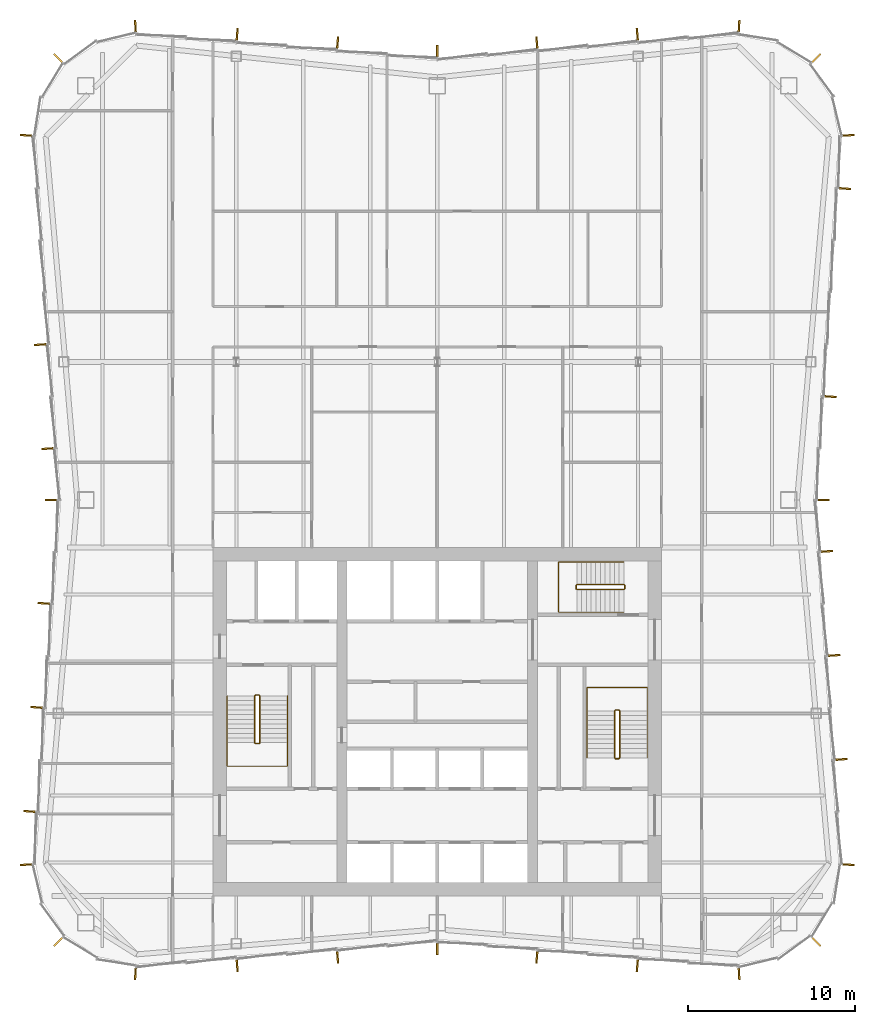
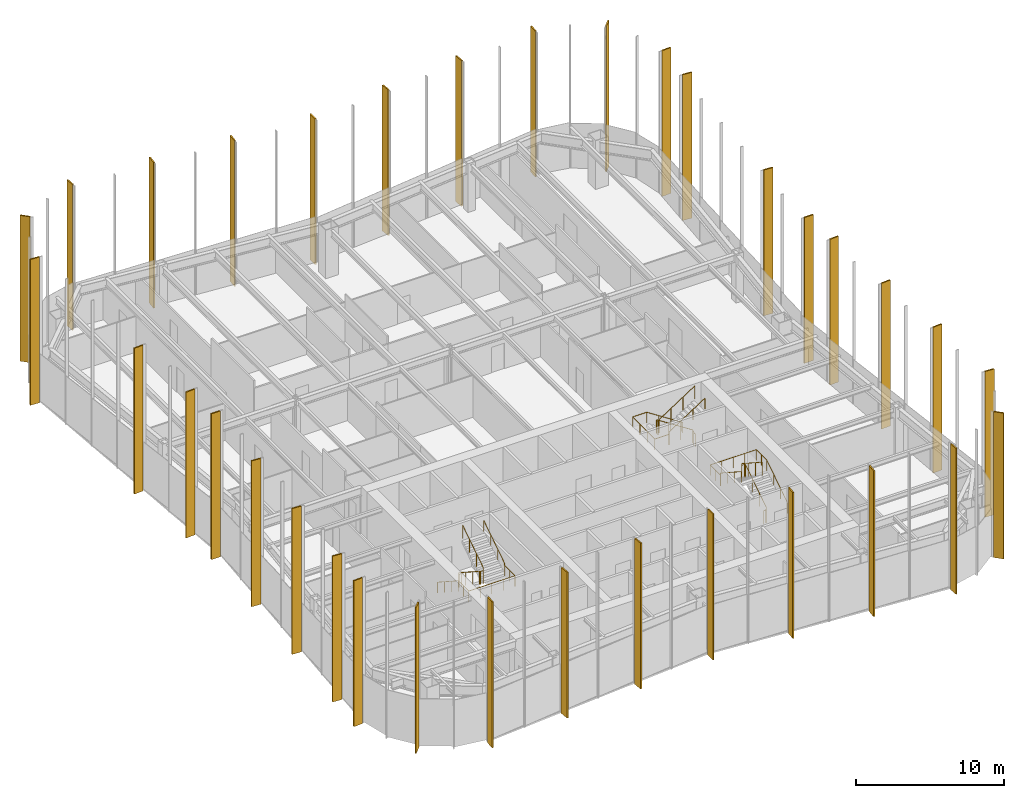
# One storey, part 15 of 15: 34 shading devices, 6 railings.
"""IFC4 building model written with IfcOpenShell, lengths in metres."""

from ifc_helpers import new_model, si_unit, direction, frame, origin, origin_2d, place, context, subcontext, project, spatial, rectangle, circle, extrude, material, layer, layer_set, type_object, element, save


model = new_model("IFC4")

# Units and contexts
model_context = context("Model", 3, precision=1e-05, world=origin(), true_north=direction((0.0, 1.0)))
body_context = subcontext(model_context, "Body", "Model", "MODEL_VIEW")
ifc_project = project(units=[si_unit("LENGTHUNIT", "METRE"), si_unit("AREAUNIT", "SQUARE_METRE"), si_unit("VOLUMEUNIT", "CUBIC_METRE"), si_unit("PLANEANGLEUNIT", "RADIAN"), si_unit("MASSUNIT", "GRAM", prefix="KILO")], contexts=[model_context])

# Site, building, storey
site_placement = place(None, origin())
site = spatial("IfcSite", under=ifc_project, at=site_placement, CompositionType="ELEMENT")
building_placement = place(site_placement, origin())
building = spatial("IfcBuilding", under=site, at=building_placement, Name="Verdant Reach Tower", CompositionType="ELEMENT")
storey_placement = place(building_placement, frame((0.0, 0.0, 250.0)))
storey = spatial("IfcBuildingStorey", under=building, at=storey_placement, Name="L57", CompositionType="ELEMENT", Elevation=250.0)

# Railings
ifc_material_1 = material(Name="Stainless steel", Category="steel")
railing_type_1 = type_object("IfcRailingType", Name="CO-GUARD", PredefinedType="GUARDRAIL", material=ifc_material_1)
railing_1_placement = place(storey_placement, frame((-10.64990234375, 29.60009765625, 0.0)))
element("IfcRailing", 1, at=railing_1_placement, inside=storey, type_object=railing_type_1, Name="L57 ST-1 stair guard 1", PredefinedType="GUARDRAIL", context=body_context, shape_type="SweptSolid", body=[
    extrude(circle(Radius=0.02392578125, at=origin_2d()), frame((0.0, 0.0, 1.076171875), z_axis=(-1.0, 0.0, 0.0), x_axis=(0.0, -1.0, 0.0)), (0.0, 0.0, 1.0), 0.2001953125),
    extrude(circle(Radius=0.02392578125, at=origin_2d()), frame((-0.2001953125, 0.0, 1.076171875), z_axis=(-0.25526617399, -0.256517478764, 0.932222056972), x_axis=(0.708833529934, -0.705375805398, 0.0)), (0.0, 0.0, 1.0), 0.195068359375),
    extrude(circle(Radius=0.02392578125, at=origin_2d()), frame((-0.25, -0.050048828125, 1.2578125), z_axis=(0.0, -0.838705829183, 0.544584733623), x_axis=(1.0, 0.0, 0.0)), (0.0, 0.0, 1.0), 3.338623046875),
    extrude(circle(Radius=0.02392578125, at=origin_2d()), frame((-0.25, -2.85009765625, 3.076171875), z_axis=(0.705375805398, -0.708833529934, 0.0), x_axis=(0.708833529934, 0.705375805398, 0.0)), (0.0, 0.0, 1.0), 0.070556640625),
    extrude(circle(Radius=0.02392578125, at=origin_2d()), frame((-0.2001953125, -2.900146484375, 3.076171875), z_axis=(1.0, 0.0, 0.0), x_axis=(0.0, 1.0, 0.0)), (0.0, 0.0, 1.0), 0.2001953125),
    extrude(circle(Radius=0.02392578125, at=origin_2d()), frame((0.0, -2.900146484375, 3.076171875), z_axis=(0.25526617399, 0.256517478764, 0.932222056972), x_axis=(-0.708833529934, 0.705375805398, 0.0)), (0.0, 0.0, 1.0), 0.195068359375),
    extrude(circle(Radius=0.02392578125, at=origin_2d()), frame((0.0498046875, -2.85009765625, 3.2578125), z_axis=(0.0, 0.838705829183, 0.544584733623), x_axis=(-1.0, 0.0, 0.0)), (0.0, 0.0, 1.0), 3.338623046875),
    extrude(circle(Radius=0.02099609375, at=origin_2d()), origin(), (0.0, 0.0, 1.0), 1.052001953125),
    extrude(circle(Radius=0.02099609375, at=origin_2d()), frame((-0.2001953125, 0.0, 0.0)), (0.0, 0.0, 1.0), 1.052001953125),
    extrude(circle(Radius=0.02099609375, at=origin_2d()), frame((-0.25, -0.050048828125, 0.181884765625)), (0.0, 0.0, 1.0), 1.052001953125),
    extrude(circle(Radius=0.02099609375, at=origin_2d()), frame((-0.25, -0.9833984375, 0.787841796875)), (0.0, 0.0, 1.0), 1.052001953125),
    extrude(circle(Radius=0.02099609375, at=origin_2d()), frame((-0.25, -1.916748046875, 1.39404296875)), (0.0, 0.0, 1.0), 1.052001953125),
    extrude(circle(Radius=0.02099609375, at=origin_2d()), frame((-0.25, -2.85009765625, 2.0)), (0.0, 0.0, 1.0), 1.052001953125),
    extrude(circle(Radius=0.02099609375, at=origin_2d()), frame((-0.2001953125, -2.900146484375, 2.0)), (0.0, 0.0, 1.0), 1.052001953125),
    extrude(circle(Radius=0.02099609375, at=origin_2d()), frame((0.0, -2.900146484375, 2.0)), (0.0, 0.0, 1.0), 1.052001953125),
    extrude(circle(Radius=0.02099609375, at=origin_2d()), frame((0.0498046875, -2.85009765625, 2.181884765625)), (0.0, 0.0, 1.0), 1.052001953125),
    extrude(circle(Radius=0.02099609375, at=origin_2d()), frame((0.0498046875, -1.916748046875, 2.787841796875)), (0.0, 0.0, 1.0), 1.052001953125),
    extrude(circle(Radius=0.02099609375, at=origin_2d()), frame((0.0498046875, -0.9833984375, 3.39404296875)), (0.0, 0.0, 1.0), 1.052001953125),
    extrude(circle(Radius=0.02099609375, at=origin_2d()), frame((0.0498046875, -0.050048828125, 4.0)), (0.0, 0.0, 1.0), 1.052001953125),
])
railing_2_placement = place(storey_placement, frame((10.64990234375, 25.800048828125, 0.0)))
element("IfcRailing", 2, at=railing_2_placement, inside=storey, type_object=railing_type_1, Name="L57 ST-2 stair guard 1", PredefinedType="GUARDRAIL", context=body_context, shape_type="SweptSolid", body=[
    extrude(circle(Radius=0.02392578125, at=origin_2d()), frame((0.0, 0.0, 1.076171875), z_axis=(1.0, 0.0, 0.0), x_axis=(0.0, 1.0, 0.0)), (0.0, 0.0, 1.0), 0.2001953125),
    extrude(circle(Radius=0.02392578125, at=origin_2d()), frame((0.2001953125, 0.0, 1.076171875), z_axis=(0.25526617399, 0.256517478764, 0.932222056972), x_axis=(-0.708833529934, 0.705375805398, 0.0)), (0.0, 0.0, 1.0), 0.195068359375),
    extrude(circle(Radius=0.02392578125, at=origin_2d()), frame((0.25, 0.050048828125, 1.2578125), z_axis=(0.0, 0.83868413941, 0.544618136222), x_axis=(-1.0, 0.0, 0.0)), (0.0, 0.0, 1.0), 3.33837890625),
    extrude(circle(Radius=0.02392578125, at=origin_2d()), frame((0.25, 2.849853515625, 3.076171875), z_axis=(-0.705375805398, 0.708833529934, 0.0), x_axis=(-0.708833529934, -0.705375805398, 0.0)), (0.0, 0.0, 1.0), 0.070556640625),
    extrude(circle(Radius=0.02392578125, at=origin_2d()), frame((0.2001953125, 2.89990234375, 3.076171875), z_axis=(-1.0, 0.0, 0.0), x_axis=(0.0, -1.0, 0.0)), (0.0, 0.0, 1.0), 0.2001953125),
    extrude(circle(Radius=0.02392578125, at=origin_2d()), frame((0.0, 2.89990234375, 3.076171875), z_axis=(-0.25526617399, -0.256517478764, 0.932222056972), x_axis=(0.708833529934, -0.705375805398, 0.0)), (0.0, 0.0, 1.0), 0.195068359375),
    extrude(circle(Radius=0.02392578125, at=origin_2d()), frame((-0.0498046875, 2.849853515625, 3.2578125), z_axis=(0.0, -0.83868413941, 0.544618136222), x_axis=(1.0, 0.0, 0.0)), (0.0, 0.0, 1.0), 3.33837890625),
    extrude(circle(Radius=0.02099609375, at=origin_2d()), origin(), (0.0, 0.0, 1.0), 1.052001953125),
    extrude(circle(Radius=0.02099609375, at=origin_2d()), frame((0.2001953125, 0.0, 0.0)), (0.0, 0.0, 1.0), 1.052001953125),
    extrude(circle(Radius=0.02099609375, at=origin_2d()), frame((0.25, 0.050048828125, 0.181884765625)), (0.0, 0.0, 1.0), 1.052001953125),
    extrude(circle(Radius=0.02099609375, at=origin_2d()), frame((0.25, 0.9833984375, 0.787841796875)), (0.0, 0.0, 1.0), 1.052001953125),
    extrude(circle(Radius=0.02099609375, at=origin_2d()), frame((0.25, 1.91650390625, 1.39404296875)), (0.0, 0.0, 1.0), 1.052001953125),
    extrude(circle(Radius=0.02099609375, at=origin_2d()), frame((0.25, 2.849853515625, 2.0)), (0.0, 0.0, 1.0), 1.052001953125),
    extrude(circle(Radius=0.02099609375, at=origin_2d()), frame((0.2001953125, 2.89990234375, 2.0)), (0.0, 0.0, 1.0), 1.052001953125),
    extrude(circle(Radius=0.02099609375, at=origin_2d()), frame((0.0, 2.89990234375, 2.0)), (0.0, 0.0, 1.0), 1.052001953125),
    extrude(circle(Radius=0.02099609375, at=origin_2d()), frame((-0.0498046875, 2.849853515625, 2.181884765625)), (0.0, 0.0, 1.0), 1.052001953125),
    extrude(circle(Radius=0.02099609375, at=origin_2d()), frame((-0.0498046875, 1.91650390625, 2.787841796875)), (0.0, 0.0, 1.0), 1.052001953125),
    extrude(circle(Radius=0.02099609375, at=origin_2d()), frame((-0.0498046875, 0.9833984375, 3.39404296875)), (0.0, 0.0, 1.0), 1.052001953125),
    extrude(circle(Radius=0.02099609375, at=origin_2d()), frame((-0.0498046875, 0.050048828125, 4.0)), (0.0, 0.0, 1.0), 1.052001953125),
])
railing_3_placement = place(storey_placement, frame((11.199951171875, 35.949951171875, 0.0)))
element("IfcRailing", 3, at=railing_3_placement, inside=storey, type_object=railing_type_1, Name="L57 ST-3 stair guard 1", PredefinedType="GUARDRAIL", context=body_context, shape_type="SweptSolid", body=[
    extrude(circle(Radius=0.02392578125, at=origin_2d()), frame((0.0, 0.0, 1.076171875), z_axis=(0.0, 1.0, 0.0), x_axis=(-1.0, 0.0, 0.0)), (0.0, 0.0, 1.0), 0.199951171875),
    extrude(circle(Radius=0.02392578125, at=origin_2d()), frame((0.0, 0.199951171875, 1.076171875), z_axis=(-0.256435381639, 0.256435381639, 0.931923704005), x_axis=(-0.707106781187, -0.707106781187, 0.0)), (0.0, 0.0, 1.0), 0.195068359375),
    extrude(circle(Radius=0.02392578125, at=origin_2d()), frame((-0.050048828125, 0.25, 1.2578125), z_axis=(-0.83868413941, 0.0, 0.544618136222), x_axis=(0.0, -1.0, 0.0)), (0.0, 0.0, 1.0), 3.33837890625),
    extrude(circle(Radius=0.02392578125, at=origin_2d()), frame((-2.849853515625, 0.25, 3.076171875), z_axis=(-0.707106781187, -0.707106781187, 0.0), x_axis=(0.707106781187, -0.707106781187, 0.0)), (0.0, 0.0, 1.0), 0.07080078125),
    extrude(circle(Radius=0.02392578125, at=origin_2d()), frame((-2.89990234375, 0.199951171875, 3.076171875), z_axis=(0.0, -1.0, 0.0), x_axis=(1.0, 0.0, 0.0)), (0.0, 0.0, 1.0), 0.199951171875),
    extrude(circle(Radius=0.02392578125, at=origin_2d()), frame((-2.89990234375, 0.0, 3.076171875), z_axis=(0.256435381639, -0.256435381639, 0.931923704005), x_axis=(0.707106781187, 0.707106781187, 0.0)), (0.0, 0.0, 1.0), 0.195068359375),
    extrude(circle(Radius=0.02392578125, at=origin_2d()), frame((-2.849853515625, -0.050048828125, 3.2578125), z_axis=(0.83868413941, 0.0, 0.544618136222), x_axis=(0.0, 1.0, 0.0)), (0.0, 0.0, 1.0), 3.33837890625),
    extrude(circle(Radius=0.02099609375, at=origin_2d()), origin(), (0.0, 0.0, 1.0), 1.052001953125),
    extrude(circle(Radius=0.02099609375, at=origin_2d()), frame((0.0, 0.199951171875, 0.0)), (0.0, 0.0, 1.0), 1.052001953125),
    extrude(circle(Radius=0.02099609375, at=origin_2d()), frame((-0.050048828125, 0.25, 0.181884765625)), (0.0, 0.0, 1.0), 1.052001953125),
    extrude(circle(Radius=0.02099609375, at=origin_2d()), frame((-0.9833984375, 0.25, 0.787841796875)), (0.0, 0.0, 1.0), 1.052001953125),
    extrude(circle(Radius=0.02099609375, at=origin_2d()), frame((-1.91650390625, 0.25, 1.39404296875)), (0.0, 0.0, 1.0), 1.052001953125),
    extrude(circle(Radius=0.02099609375, at=origin_2d()), frame((-2.849853515625, 0.25, 2.0)), (0.0, 0.0, 1.0), 1.052001953125),
    extrude(circle(Radius=0.02099609375, at=origin_2d()), frame((-2.89990234375, 0.199951171875, 2.0)), (0.0, 0.0, 1.0), 1.052001953125),
    extrude(circle(Radius=0.02099609375, at=origin_2d()), frame((-2.89990234375, 0.0, 2.0)), (0.0, 0.0, 1.0), 1.052001953125),
    extrude(circle(Radius=0.02099609375, at=origin_2d()), frame((-2.849853515625, -0.050048828125, 2.181884765625)), (0.0, 0.0, 1.0), 1.052001953125),
    extrude(circle(Radius=0.02099609375, at=origin_2d()), frame((-1.91650390625, -0.050048828125, 2.787841796875)), (0.0, 0.0, 1.0), 1.052001953125),
    extrude(circle(Radius=0.02099609375, at=origin_2d()), frame((-0.9833984375, -0.050048828125, 3.39404296875)), (0.0, 0.0, 1.0), 1.052001953125),
    extrude(circle(Radius=0.02099609375, at=origin_2d()), frame((-0.050048828125, -0.050048828125, 4.0)), (0.0, 0.0, 1.0), 1.052001953125),
])
railing_type_2 = type_object("IfcRailingType", Name="CO-HANDRAIL", PredefinedType="HANDRAIL", material=ifc_material_1)
railing_4_placement = place(storey_placement, frame((-12.550048828125, 29.550048828125, 0.181884765625)))
element("IfcRailing", 4, at=railing_4_placement, inside=storey, type_object=railing_type_2, Name="L57 ST-1 stair handrail 1", PredefinedType="HANDRAIL", context=body_context, shape_type="SweptSolid", body=[
    extrude(circle(Radius=0.02392578125, at=origin_2d()), frame((0.0, 0.0, 0.8759765625), z_axis=(0.0, -0.838705829183, 0.544584733623), x_axis=(1.0, 0.0, 0.0)), (0.0, 0.0, 1.0), 3.338623046875),
    extrude(circle(Radius=0.02392578125, at=origin_2d()), frame((0.0, -2.800048828125, 2.69384765625), z_axis=(0.0, -1.0, 0.0), x_axis=(1.0, 0.0, 0.0)), (0.0, 0.0, 1.0), 1.39990234375),
    extrude(circle(Radius=0.02392578125, at=origin_2d()), frame((0.0, -4.199951171875, 2.69384765625), z_axis=(1.0, 0.0, 0.0), x_axis=(0.0, 1.0, 0.0)), (0.0, 0.0, 1.0), 3.60009765625),
    extrude(circle(Radius=0.02392578125, at=origin_2d()), frame((3.60009765625, -4.199951171875, 2.69384765625), z_axis=(0.0, 1.0, 0.0), x_axis=(-1.0, 0.0, 0.0)), (0.0, 0.0, 1.0), 1.39990234375),
    extrude(circle(Radius=0.02392578125, at=origin_2d()), frame((3.60009765625, -2.800048828125, 2.69384765625), z_axis=(0.0, 0.0, 1.0), x_axis=(1.0, 0.0, 0.0)), (0.0, 0.0, 1.0), 0.181884765625),
    extrude(circle(Radius=0.02392578125, at=origin_2d()), frame((3.60009765625, -2.800048828125, 2.8759765625), z_axis=(0.0, 0.838705829183, 0.544584733623), x_axis=(-1.0, 0.0, 0.0)), (0.0, 0.0, 1.0), 3.338623046875),
    extrude(circle(Radius=0.02099609375, at=origin_2d()), origin(), (0.0, 0.0, 1.0), 0.851806640625),
    extrude(circle(Radius=0.02099609375, at=origin_2d()), frame((0.0, -0.933349609375, 0.60595703125)), (0.0, 0.0, 1.0), 0.851806640625),
    extrude(circle(Radius=0.02099609375, at=origin_2d()), frame((0.0, -1.86669921875, 1.212158203125)), (0.0, 0.0, 1.0), 0.851806640625),
    extrude(circle(Radius=0.02099609375, at=origin_2d()), frame((0.0, -2.800048828125, 1.818115234375)), (0.0, 0.0, 1.0), 0.851806640625),
    extrude(circle(Radius=0.02099609375, at=origin_2d()), frame((0.0, -3.5, 1.818115234375)), (0.0, 0.0, 1.0), 0.851806640625),
    extrude(circle(Radius=0.02099609375, at=origin_2d()), frame((0.0, -4.199951171875, 1.818115234375)), (0.0, 0.0, 1.0), 0.851806640625),
    extrude(circle(Radius=0.02099609375, at=origin_2d()), frame((0.89990234375, -4.199951171875, 1.818115234375)), (0.0, 0.0, 1.0), 0.851806640625),
    extrude(circle(Radius=0.02099609375, at=origin_2d()), frame((1.800048828125, -4.199951171875, 1.818115234375)), (0.0, 0.0, 1.0), 0.851806640625),
    extrude(circle(Radius=0.02099609375, at=origin_2d()), frame((2.7001953125, -4.199951171875, 1.818115234375)), (0.0, 0.0, 1.0), 0.851806640625),
    extrude(circle(Radius=0.02099609375, at=origin_2d()), frame((3.60009765625, -4.199951171875, 1.818115234375)), (0.0, 0.0, 1.0), 0.851806640625),
    extrude(circle(Radius=0.02099609375, at=origin_2d()), frame((3.60009765625, -3.5, 1.818115234375)), (0.0, 0.0, 1.0), 0.851806640625),
    extrude(circle(Radius=0.02099609375, at=origin_2d()), frame((3.60009765625, -2.800048828125, 1.818115234375)), (0.0, 0.0, 1.0), 0.851806640625),
    extrude(circle(Radius=0.02099609375, at=origin_2d()), frame((3.60009765625, -2.800048828125, 2.0)), (0.0, 0.0, 1.0), 0.851806640625),
    extrude(circle(Radius=0.02099609375, at=origin_2d()), frame((3.60009765625, -1.86669921875, 2.60595703125)), (0.0, 0.0, 1.0), 0.851806640625),
    extrude(circle(Radius=0.02099609375, at=origin_2d()), frame((3.60009765625, -0.933349609375, 3.212158203125)), (0.0, 0.0, 1.0), 0.851806640625),
    extrude(circle(Radius=0.02099609375, at=origin_2d()), frame((3.60009765625, 0.0, 3.818115234375)), (0.0, 0.0, 1.0), 0.851806640625),
])
railing_5_placement = place(storey_placement, frame((12.550048828125, 25.85009765625, 0.181884765625)))
element("IfcRailing", 5, at=railing_5_placement, inside=storey, type_object=railing_type_2, Name="L57 ST-2 stair handrail 1", PredefinedType="HANDRAIL", context=body_context, shape_type="SweptSolid", body=[
    extrude(circle(Radius=0.02392578125, at=origin_2d()), frame((0.0, 0.0, 0.8759765625), z_axis=(0.0, 0.83868413941, 0.544618136222), x_axis=(-1.0, 0.0, 0.0)), (0.0, 0.0, 1.0), 3.33837890625),
    extrude(circle(Radius=0.02392578125, at=origin_2d()), frame((0.0, 2.7998046875, 2.69384765625), z_axis=(0.0, 1.0, 0.0), x_axis=(-1.0, 0.0, 0.0)), (0.0, 0.0, 1.0), 1.400146484375),
    extrude(circle(Radius=0.02392578125, at=origin_2d()), frame((0.0, 4.199951171875, 2.69384765625), z_axis=(-1.0, 0.0, 0.0), x_axis=(0.0, -1.0, 0.0)), (0.0, 0.0, 1.0), 3.60009765625),
    extrude(circle(Radius=0.02392578125, at=origin_2d()), frame((-3.60009765625, 4.199951171875, 2.69384765625), z_axis=(0.0, -1.0, 0.0), x_axis=(1.0, 0.0, 0.0)), (0.0, 0.0, 1.0), 1.400146484375),
    extrude(circle(Radius=0.02392578125, at=origin_2d()), frame((-3.60009765625, 2.7998046875, 2.69384765625), z_axis=(0.0, 0.0, 1.0), x_axis=(1.0, 0.0, 0.0)), (0.0, 0.0, 1.0), 0.181884765625),
    extrude(circle(Radius=0.02392578125, at=origin_2d()), frame((-3.60009765625, 2.7998046875, 2.8759765625), z_axis=(0.0, -0.83868413941, 0.544618136222), x_axis=(1.0, 0.0, 0.0)), (0.0, 0.0, 1.0), 3.33837890625),
    extrude(circle(Radius=0.02099609375, at=origin_2d()), origin(), (0.0, 0.0, 1.0), 0.851806640625),
    extrude(circle(Radius=0.02099609375, at=origin_2d()), frame((0.0, 0.933349609375, 0.60595703125)), (0.0, 0.0, 1.0), 0.851806640625),
    extrude(circle(Radius=0.02099609375, at=origin_2d()), frame((0.0, 1.866455078125, 1.212158203125)), (0.0, 0.0, 1.0), 0.851806640625),
    extrude(circle(Radius=0.02099609375, at=origin_2d()), frame((0.0, 2.7998046875, 1.818115234375)), (0.0, 0.0, 1.0), 0.851806640625),
    extrude(circle(Radius=0.02099609375, at=origin_2d()), frame((0.0, 3.5, 1.818115234375)), (0.0, 0.0, 1.0), 0.851806640625),
    extrude(circle(Radius=0.02099609375, at=origin_2d()), frame((0.0, 4.199951171875, 1.818115234375)), (0.0, 0.0, 1.0), 0.851806640625),
    extrude(circle(Radius=0.02099609375, at=origin_2d()), frame((-0.89990234375, 4.199951171875, 1.818115234375)), (0.0, 0.0, 1.0), 0.851806640625),
    extrude(circle(Radius=0.02099609375, at=origin_2d()), frame((-1.800048828125, 4.199951171875, 1.818115234375)), (0.0, 0.0, 1.0), 0.851806640625),
    extrude(circle(Radius=0.02099609375, at=origin_2d()), frame((-2.7001953125, 4.199951171875, 1.818115234375)), (0.0, 0.0, 1.0), 0.851806640625),
    extrude(circle(Radius=0.02099609375, at=origin_2d()), frame((-3.60009765625, 4.199951171875, 1.818115234375)), (0.0, 0.0, 1.0), 0.851806640625),
    extrude(circle(Radius=0.02099609375, at=origin_2d()), frame((-3.60009765625, 3.5, 1.818115234375)), (0.0, 0.0, 1.0), 0.851806640625),
    extrude(circle(Radius=0.02099609375, at=origin_2d()), frame((-3.60009765625, 2.7998046875, 1.818115234375)), (0.0, 0.0, 1.0), 0.851806640625),
    extrude(circle(Radius=0.02099609375, at=origin_2d()), frame((-3.60009765625, 2.7998046875, 2.0)), (0.0, 0.0, 1.0), 0.851806640625),
    extrude(circle(Radius=0.02099609375, at=origin_2d()), frame((-3.60009765625, 1.866455078125, 2.60595703125)), (0.0, 0.0, 1.0), 0.851806640625),
    extrude(circle(Radius=0.02099609375, at=origin_2d()), frame((-3.60009765625, 0.933349609375, 3.212158203125)), (0.0, 0.0, 1.0), 0.851806640625),
    extrude(circle(Radius=0.02099609375, at=origin_2d()), frame((-3.60009765625, 0.0, 3.818115234375)), (0.0, 0.0, 1.0), 0.851806640625),
])
railing_6_placement = place(storey_placement, frame((11.14990234375, 37.550048828125, 0.181884765625)))
element("IfcRailing", 6, at=railing_6_placement, inside=storey, type_object=railing_type_2, Name="L57 ST-3 stair handrail 1", PredefinedType="HANDRAIL", context=body_context, shape_type="SweptSolid", body=[
    extrude(circle(Radius=0.02392578125, at=origin_2d()), frame((0.0, 0.0, 0.8759765625), z_axis=(-0.83868413941, 0.0, 0.544618136222), x_axis=(0.0, -1.0, 0.0)), (0.0, 0.0, 1.0), 3.33837890625),
    extrude(circle(Radius=0.02392578125, at=origin_2d()), frame((-2.7998046875, 0.0, 2.69384765625), z_axis=(-1.0, 0.0, 0.0), x_axis=(0.0, -1.0, 0.0)), (0.0, 0.0, 1.0), 1.10009765625),
    extrude(circle(Radius=0.02392578125, at=origin_2d()), frame((-3.89990234375, 0.0, 2.69384765625), z_axis=(0.0, -1.0, 0.0), x_axis=(1.0, 0.0, 0.0)), (0.0, 0.0, 1.0), 3.0),
    extrude(circle(Radius=0.02392578125, at=origin_2d()), frame((-3.89990234375, -3.0, 2.69384765625), z_axis=(1.0, 0.0, 0.0), x_axis=(0.0, 1.0, 0.0)), (0.0, 0.0, 1.0), 1.10009765625),
    extrude(circle(Radius=0.02392578125, at=origin_2d()), frame((-2.7998046875, -3.0, 2.69384765625), z_axis=(0.0, 0.0, 1.0), x_axis=(1.0, 0.0, 0.0)), (0.0, 0.0, 1.0), 0.181884765625),
    extrude(circle(Radius=0.02392578125, at=origin_2d()), frame((-2.7998046875, -3.0, 2.8759765625), z_axis=(0.83868413941, 0.0, 0.544618136222), x_axis=(0.0, 1.0, 0.0)), (0.0, 0.0, 1.0), 3.33837890625),
    extrude(circle(Radius=0.02099609375, at=origin_2d()), origin(), (0.0, 0.0, 1.0), 0.851806640625),
    extrude(circle(Radius=0.02099609375, at=origin_2d()), frame((-0.933349609375, 0.0, 0.60595703125)), (0.0, 0.0, 1.0), 0.851806640625),
    extrude(circle(Radius=0.02099609375, at=origin_2d()), frame((-1.866455078125, 0.0, 1.212158203125)), (0.0, 0.0, 1.0), 0.851806640625),
    extrude(circle(Radius=0.02099609375, at=origin_2d()), frame((-2.7998046875, 0.0, 1.818115234375)), (0.0, 0.0, 1.0), 0.851806640625),
    extrude(circle(Radius=0.02099609375, at=origin_2d()), frame((-3.89990234375, 0.0, 1.818115234375)), (0.0, 0.0, 1.0), 0.851806640625),
    extrude(circle(Radius=0.02099609375, at=origin_2d()), frame((-3.89990234375, -1.0, 1.818115234375)), (0.0, 0.0, 1.0), 0.851806640625),
    extrude(circle(Radius=0.02099609375, at=origin_2d()), frame((-3.89990234375, -2.0, 1.818115234375)), (0.0, 0.0, 1.0), 0.851806640625),
    extrude(circle(Radius=0.02099609375, at=origin_2d()), frame((-3.89990234375, -3.0, 1.818115234375)), (0.0, 0.0, 1.0), 0.851806640625),
    extrude(circle(Radius=0.02099609375, at=origin_2d()), frame((-2.7998046875, -3.0, 1.818115234375)), (0.0, 0.0, 1.0), 0.851806640625),
    extrude(circle(Radius=0.02099609375, at=origin_2d()), frame((-2.7998046875, -3.0, 2.0)), (0.0, 0.0, 1.0), 0.851806640625),
    extrude(circle(Radius=0.02099609375, at=origin_2d()), frame((-1.866455078125, -3.0, 2.60595703125)), (0.0, 0.0, 1.0), 0.851806640625),
    extrude(circle(Radius=0.02099609375, at=origin_2d()), frame((-0.933349609375, -3.0, 3.212158203125)), (0.0, 0.0, 1.0), 0.851806640625),
    extrude(circle(Radius=0.02099609375, at=origin_2d()), frame((0.0, -3.0, 3.818115234375)), (0.0, 0.0, 1.0), 0.851806640625),
])

# Shading devices
ifc_material_2 = material(Name="Bronze fin, champagne", Category="aluminium")
ifc_layer_1 = layer(ifc_material_2, 0.10009765625)
ifc_layer_set_1 = layer_set([ifc_layer_1], Name="EN-FIN CHAMPAGNE")
shading_device_type_1 = type_object("IfcShadingDeviceType", Name="EN-FIN CHAMPAGNE", PredefinedType="USERDEFINED", material=ifc_layer_set_1)
for number, where, z_axis, x_axis, name in (
    (7, (24.14404296875, 25.753662109375, -0.35009765625), (0.0, 0.0, 1.0), (-0.068802091615, 0.997630328423, 0.0), "Fin east face part 1 3, L57"),
    (8, (22.6484375, 67.6484375, -0.35009765625), (0.0, 0.0, 1.0), (-0.707106781187, 0.707106781187, 0.0), "Fin north-east corner 3, L57"),
    (9, (18.032470703125, 69.572998046875, -0.35009765625), (0.0, 0.0, 1.0), (-0.998398681387, 0.056569187765, 0.0), "Fin north face part 1 1, L57"),
    (10, (11.952392578125, 69.072021484375, -0.35009765625), (0.0, 0.0, 1.0), (-0.996545758244, -0.083045479859, 0.0), "Fin north face part 1 3, L57"),
    (11, (-5.952392578125, 68.572021484375, -0.35009765625), (0.0, 0.0, 1.0), (-0.996545758244, 0.083045479859, 0.0), "Fin north face part 2 3, L57"),
    (12, (-18.032470703125, 69.572998046875, -0.35009765625), (0.0, 0.0, 1.0), (-0.998398681387, -0.056569187765, 0.0), "Fin north-west corner 1, L57"),
    (13, (-22.6484375, 67.6484375, -0.35009765625), (0.0, 0.0, 1.0), (-0.707106781187, -0.707106781187, 0.0), "Fin north-west corner 3, L57"),
    (14, (-24.57275390625, 63.03662109375, -0.35009765625), (0.0, 0.0, 1.0), (-0.063698618332, -0.997969180898, 0.0), "Fin west face part 1 1, L57"),
    (15, (-23.286865234375, 44.317626953125, -0.35009765625), (0.0, 0.0, 1.0), (0.068802091615, -0.997630328423, 0.0), "Fin west face part 1 7, L57"),
    (16, (-23.073974609375, 41.25, -0.35009765625), (0.0, 0.0, 1.0), (0.0, -1.0, 0.0), "Fin west face part 2 1, L57"),
    (17, (-24.57275390625, 19.46337890625, -0.35009765625), (0.0, 0.0, 1.0), (0.063698618332, -0.997969180898, 0.0), "Fin south-west corner 1, L57"),
    (18, (-5.952392578125, 13.927978515625, -0.35009765625), (0.0, 0.0, 1.0), (0.996545758244, 0.083045479859, 0.0), "Fin south face part 1 5, L57"),
):
    element("IfcShadingDevice", number, at=place(storey_placement, frame(where, z_axis=z_axis, x_axis=x_axis)), inside=storey, type_object=shading_device_type_1, Name=name, ObjectType="FIN", PredefinedType="USERDEFINED", context=body_context, shape_type="SweptSolid", body=[
        extrude(rectangle(XDim=0.10009765625, YDim=0.699951171875, at=origin_2d()), origin(), (0.0, 0.0, 1.0), 12.0),
    ])
ifc_material_3 = material(Name="Bronze fin, copper", Category="aluminium")
ifc_layer_2 = layer(ifc_material_3, 0.10009765625)
ifc_layer_set_2 = layer_set([ifc_layer_2], Name="EN-FIN COPPER")
shading_device_type_2 = type_object("IfcShadingDeviceType", Name="EN-FIN COPPER", PredefinedType="USERDEFINED", material=ifc_layer_set_2)
for number, where, z_axis, x_axis, name in (
    (19, (18.032470703125, 12.927001953125, -0.35009765625), (0.0, 0.0, 1.0), (0.998398681387, 0.056569187765, 0.0), "Fin south-east corner 1, L57"),
    (20, (23.715576171875, 31.968017578125, -0.35009765625), (0.0, 0.0, 1.0), (-0.068802091615, 0.997630328423, 0.0), "Fin east face part 1 5, L57"),
    (21, (23.286865234375, 38.182373046875, -0.35009765625), (0.0, 0.0, 1.0), (-0.068802091615, 0.997630328423, 0.0), "Fin east face part 1 7, L57"),
    (22, (23.073974609375, 41.25, -0.35009765625), (0.0, 0.0, 1.0), (0.0, 1.0, 0.0), "Fin east face part 2 1, L57"),
    (23, (24.3583984375, 59.853271484375, -0.35009765625), (0.0, 0.0, 1.0), (0.068802091615, 0.997630328423, 0.0), "Fin east face part 2 7, L57"),
    (24, (5.952392578125, 68.572021484375, -0.35009765625), (0.0, 0.0, 1.0), (-0.996545758244, -0.083045479859, 0.0), "Fin north face part 1 5, L57"),
    (25, (-11.952392578125, 69.072021484375, -0.35009765625), (0.0, 0.0, 1.0), (-0.996545758244, 0.083045479859, 0.0), "Fin north face part 2 5, L57"),
    (26, (-23.501220703125, 35.0751953125, -0.35009765625), (0.0, 0.0, 1.0), (-0.068802091615, -0.997630328423, 0.0), "Fin west face part 2 3, L57"),
    (27, (-23.9296875, 28.86083984375, -0.35009765625), (0.0, 0.0, 1.0), (-0.068802091615, -0.997630328423, 0.0), "Fin west face part 2 5, L57"),
    (28, (-22.6484375, 14.8515625, -0.35009765625), (0.0, 0.0, 1.0), (0.707106781187, -0.707106781187, 0.0), "Fin south-west corner 3, L57"),
    (29, (-18.032470703125, 12.927001953125, -0.35009765625), (0.0, 0.0, 1.0), (0.998398681387, -0.056569187765, 0.0), "Fin south face part 1 1, L57"),
    (30, (0.0, 14.426025390625, -0.35009765625), (0.0, 0.0, 1.0), (1.0, 0.0, 0.0), "Fin south face part 2 1, L57"),
    (31, (5.952392578125, 13.927978515625, -0.35009765625), (0.0, 0.0, 1.0), (0.996545758244, -0.083045479859, 0.0), "Fin south face part 2 3, L57"),
):
    element("IfcShadingDevice", number, at=place(storey_placement, frame(where, z_axis=z_axis, x_axis=x_axis)), inside=storey, type_object=shading_device_type_2, Name=name, ObjectType="FIN", PredefinedType="USERDEFINED", context=body_context, shape_type="SweptSolid", body=[
        extrude(rectangle(XDim=0.10009765625, YDim=0.699951171875, at=origin_2d()), origin(), (0.0, 0.0, 1.0), 12.0),
    ])
ifc_material_4 = material(Name="Bronze fin, dark bronze", Category="aluminium")
ifc_layer_3 = layer(ifc_material_4, 0.10009765625)
ifc_layer_set_3 = layer_set([ifc_layer_3], Name="EN-FIN DARK")
shading_device_type_3 = type_object("IfcShadingDeviceType", Name="EN-FIN DARK", PredefinedType="USERDEFINED", material=ifc_layer_set_3)
for number, where, z_axis, x_axis, name in (
    (32, (22.6484375, 14.8515625, -0.35009765625), (0.0, 0.0, 1.0), (0.707106781187, 0.707106781187, 0.0), "Fin south-east corner 3, L57"),
    (33, (24.57275390625, 19.46337890625, -0.35009765625), (0.0, 0.0, 1.0), (0.063698618332, 0.997969180898, 0.0), "Fin east face part 1 1, L57"),
    (34, (23.501220703125, 47.4248046875, -0.35009765625), (0.0, 0.0, 1.0), (0.068802091615, 0.997630328423, 0.0), "Fin east face part 2 3, L57"),
    (35, (24.57275390625, 63.03662109375, -0.35009765625), (0.0, 0.0, 1.0), (-0.063698618332, 0.997969180898, 0.0), "Fin north-east corner 1, L57"),
    (36, (0.0, 68.073974609375, -0.35009765625), (0.0, 0.0, 1.0), (-1.0, 0.0, 0.0), "Fin north face part 2 1, L57"),
    (37, (-23.715576171875, 50.531982421875, -0.35009765625), (0.0, 0.0, 1.0), (0.068802091615, -0.997630328423, 0.0), "Fin west face part 1 5, L57"),
    (38, (-24.3583984375, 22.646728515625, -0.35009765625), (0.0, 0.0, 1.0), (-0.068802091615, -0.997630328423, 0.0), "Fin west face part 2 7, L57"),
    (39, (-11.952392578125, 13.427978515625, -0.35009765625), (0.0, 0.0, 1.0), (0.996545758244, 0.083045479859, 0.0), "Fin south face part 1 3, L57"),
    (40, (11.952392578125, 13.427978515625, -0.35009765625), (0.0, 0.0, 1.0), (0.996545758244, -0.083045479859, 0.0), "Fin south face part 2 5, L57"),
):
    element("IfcShadingDevice", number, at=place(storey_placement, frame(where, z_axis=z_axis, x_axis=x_axis)), inside=storey, type_object=shading_device_type_3, Name=name, ObjectType="FIN", PredefinedType="USERDEFINED", context=body_context, shape_type="SweptSolid", body=[
        extrude(rectangle(XDim=0.10009765625, YDim=0.699951171875, at=origin_2d()), origin(), (0.0, 0.0, 1.0), 12.0),
    ])

save(model, "model.ifc")
